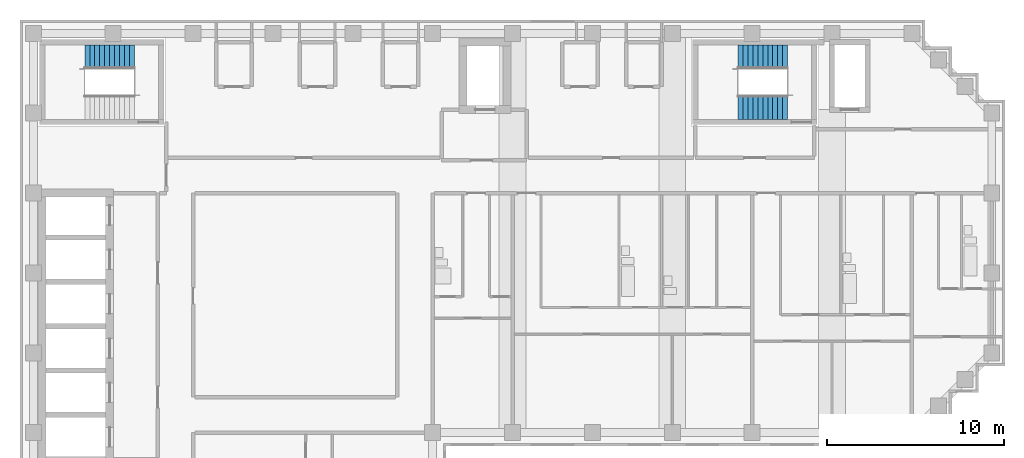
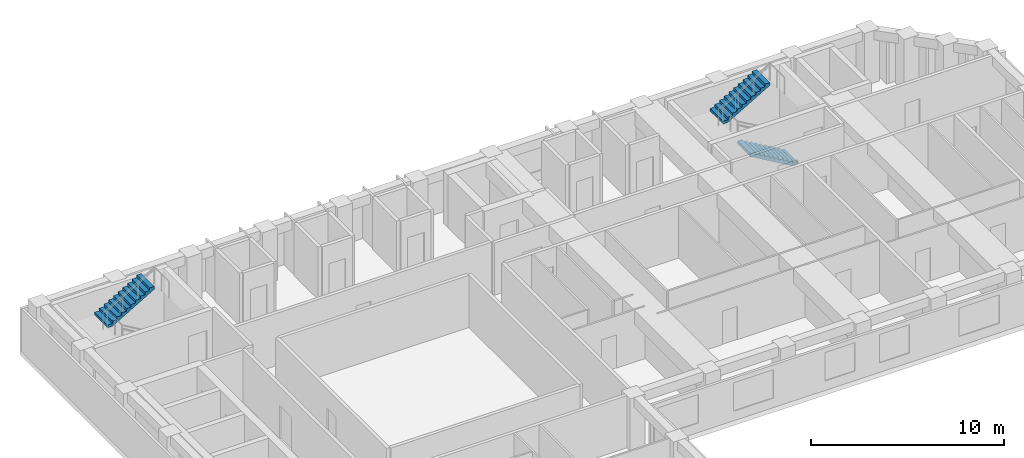
# One storey, part 7 of 9: 3 stair flights, 2 elements without a shape of their own.
"""IFC4 building model written with IfcOpenShell, lengths in metres."""

from ifc_helpers import new_model, si_unit, direction, frame, origin, place, context, subcontext, project, spatial, polyline, outline, extrude, material, type_object, element, aggregate, save


model = new_model("IFC4")

# Units and contexts
model_context = context("Model", 3, precision=1e-05, world=origin(), true_north=direction((0.0, 1.0)))
body_context = subcontext(model_context, "Body", "Model", "MODEL_VIEW")
ifc_project = project(units=[si_unit("LENGTHUNIT", "METRE"), si_unit("AREAUNIT", "SQUARE_METRE"), si_unit("VOLUMEUNIT", "CUBIC_METRE"), si_unit("PLANEANGLEUNIT", "RADIAN"), si_unit("MASSUNIT", "GRAM", prefix="KILO")], contexts=[model_context])

# Site, building, storey
site_placement = place(None, origin())
site = spatial("IfcSite", under=ifc_project, at=site_placement, CompositionType="ELEMENT")
building_placement = place(site_placement, origin())
building = spatial("IfcBuilding", under=site, at=building_placement, Name="Firuza Court", CompositionType="ELEMENT")
storey_placement = place(building_placement, frame((0.0, 0.0, 215.0)))
storey = spatial("IfcBuildingStorey", under=building, at=storey_placement, Name="L55", CompositionType="ELEMENT", Elevation=215.0)

# Stair, stair flights
ifc_material_1 = material(Name="Concrete C40/50 precast", Category="concrete")
stair_type = type_object("IfcStairType", Name="Stair 1350 x 3600 2 flights", PredefinedType="HALF_TURN_STAIR", material=ifc_material_1)
stair_1_placement = place(storey_placement, origin())
stair_1 = element("IfcStair", 1, at=stair_1_placement, inside=storey, type_object=stair_type, Name="Stair 1 L55", PredefinedType="HALF_TURN_STAIR")
ifc_material_2 = material(Name="Concrete C40/50 precast", Category="concrete")
stair_flight_type = type_object("IfcStairFlightType", Name="Flight 1350 riser 163.6", PredefinedType="STRAIGHT", material=ifc_material_2)
stair_flight_1_placement = place(storey_placement, frame((42.5, 54.324951171875, 0.0), z_axis=(0.0, 0.0, 1.0), x_axis=(-1.0, 0.0, 0.0)))
stair_flight_1 = element("IfcStairFlight", 2, at=stair_flight_1_placement, type_object=stair_flight_type, Name="S1 flight 1", NumberOfRisers=11, NumberOfTreads=10, PredefinedType="STRAIGHT", RiserHeight=0.163636364, TreadLength=0.28, context=body_context, shape_type="SweptSolid", body=[
    extrude(outline(polyline([(0.0, 0.0), (0.0, 0.16357421875), (0.280029296875, 0.16357421875), (0.280029296875, 0.327392578125), (0.56005859375, 0.327392578125), (0.56005859375, 0.490966796875), (0.840087890625, 0.490966796875), (0.840087890625, 0.654541015625), (1.1201171875, 0.654541015625), (1.1201171875, 0.818115234375), (1.39990234375, 0.818115234375), (1.39990234375, 0.98193359375), (1.679931640625, 0.98193359375), (1.679931640625, 1.1455078125), (1.9599609375, 1.1455078125), (1.9599609375, 1.30908203125), (2.239990234375, 1.30908203125), (2.239990234375, 1.47265625), (2.52001953125, 1.47265625), (2.52001953125, 1.636474609375), (2.800048828125, 1.636474609375), (2.800048828125, 1.800048828125), (2.800048828125, 1.462646484375), (0.297119140625, 0.0), (0.0, 0.0)])), frame((0.0, 0.675048828125, 0.0), z_axis=(0.0, -1.0, 0.0), x_axis=(1.0, 0.0, 0.0)), (0.0, 0.0, 1.0), 1.35009765625),
])
stair_flight_2_placement = place(storey_placement, frame((39.699951171875, 57.175048828125, 1.800048828125), z_axis=(0.0, 0.0, 1.0), x_axis=(1.0, 0.0, 0.0)))
stair_flight_2 = element("IfcStairFlight", 3, at=stair_flight_2_placement, type_object=stair_flight_type, Name="S1 flight 2", NumberOfRisers=11, NumberOfTreads=10, PredefinedType="STRAIGHT", RiserHeight=0.163636364, TreadLength=0.28, context=body_context, shape_type="SweptSolid", body=[
    extrude(outline(polyline([(0.0, 0.0), (0.0, 0.16357421875), (0.280029296875, 0.16357421875), (0.280029296875, 0.327392578125), (0.56005859375, 0.327392578125), (0.56005859375, 0.490966796875), (0.840087890625, 0.490966796875), (0.840087890625, 0.654541015625), (1.1201171875, 0.654541015625), (1.1201171875, 0.818115234375), (1.39990234375, 0.818115234375), (1.39990234375, 0.98193359375), (1.679931640625, 0.98193359375), (1.679931640625, 1.1455078125), (1.9599609375, 1.1455078125), (1.9599609375, 1.30908203125), (2.239990234375, 1.30908203125), (2.239990234375, 1.47265625), (2.52001953125, 1.47265625), (2.52001953125, 1.636474609375), (2.800048828125, 1.636474609375), (2.800048828125, 1.800048828125), (2.800048828125, 1.462646484375), (0.297119140625, 0.0), (0.0, 0.0)])), frame((0.0, 0.675048828125, 0.0), z_axis=(0.0, -1.0, 0.0), x_axis=(1.0, 0.0, 0.0)), (0.0, 0.0, 1.0), 1.35009765625),
])
aggregate(stair_1, [stair_flight_1, stair_flight_2])

# Stair, stair flight
stair_2_placement = place(storey_placement, origin())
stair_2 = element("IfcStair", 4, at=stair_2_placement, inside=storey, type_object=stair_type, Name="Stair 3 L55", PredefinedType="HALF_TURN_STAIR")
stair_flight_3_placement = place(storey_placement, frame((2.89990234375, 57.175048828125, 1.800048828125), z_axis=(0.0, 0.0, 1.0), x_axis=(1.0, 0.0, 0.0)))
stair_flight_3 = element("IfcStairFlight", 5, at=stair_flight_3_placement, type_object=stair_flight_type, Name="S3 flight 2", NumberOfRisers=11, NumberOfTreads=10, PredefinedType="STRAIGHT", RiserHeight=0.163636364, TreadLength=0.28, context=body_context, shape_type="SweptSolid", body=[
    extrude(outline(polyline([(0.0, 0.0), (0.0, 0.16357421875), (0.280029296875, 0.16357421875), (0.280029296875, 0.327392578125), (0.56005859375, 0.327392578125), (0.56005859375, 0.490966796875), (0.840087890625, 0.490966796875), (0.840087890625, 0.654541015625), (1.1201171875, 0.654541015625), (1.1201171875, 0.818115234375), (1.39990234375, 0.818115234375), (1.39990234375, 0.98193359375), (1.679931640625, 0.98193359375), (1.679931640625, 1.1455078125), (1.9599609375, 1.1455078125), (1.9599609375, 1.30908203125), (2.239990234375, 1.30908203125), (2.239990234375, 1.47265625), (2.52001953125, 1.47265625), (2.52001953125, 1.636474609375), (2.800048828125, 1.636474609375), (2.800048828125, 1.800048828125), (2.800048828125, 1.462646484375), (0.297119140625, 0.0), (0.0, 0.0)])), frame((0.0, 0.675048828125, 0.0), z_axis=(0.0, -1.0, 0.0), x_axis=(1.0, 0.0, 0.0)), (0.0, 0.0, 1.0), 1.35009765625),
])
aggregate(stair_2, [stair_flight_3])

save(model, "model.ifc")
